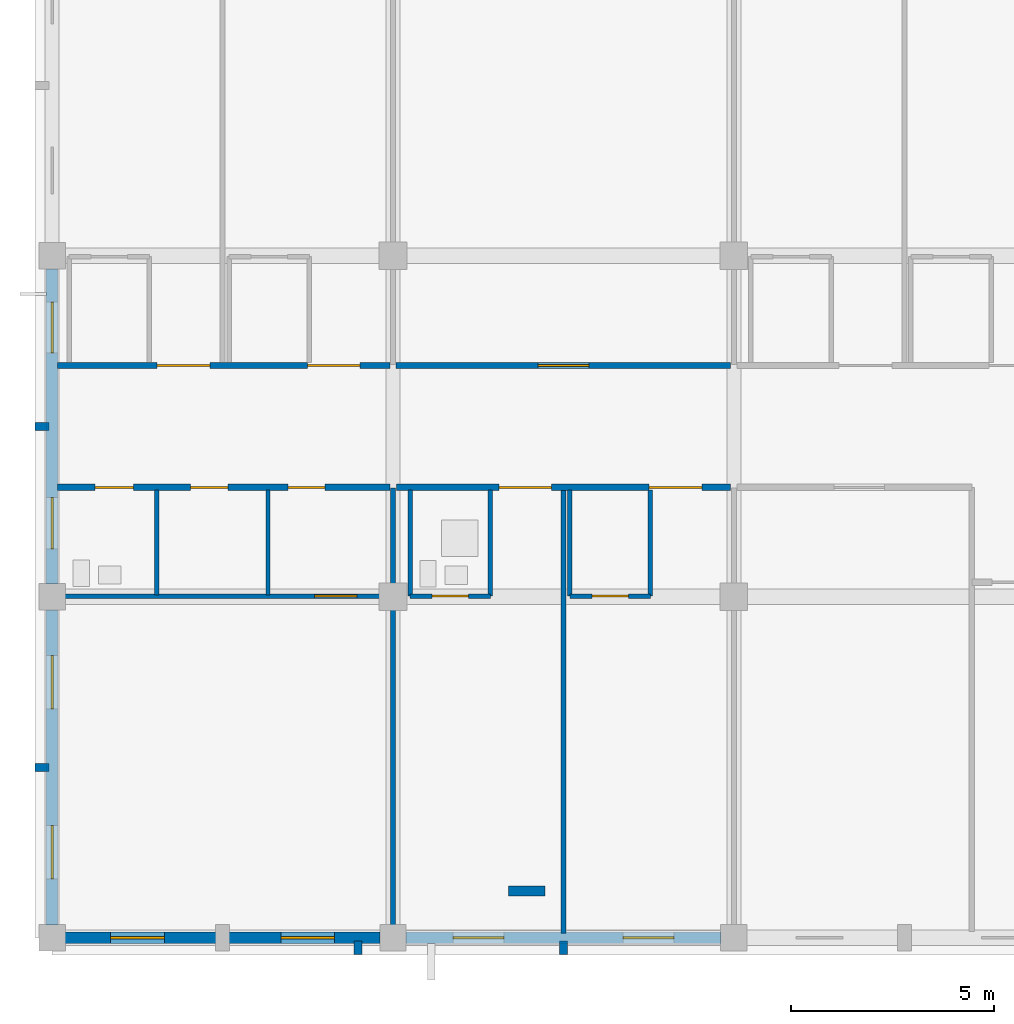
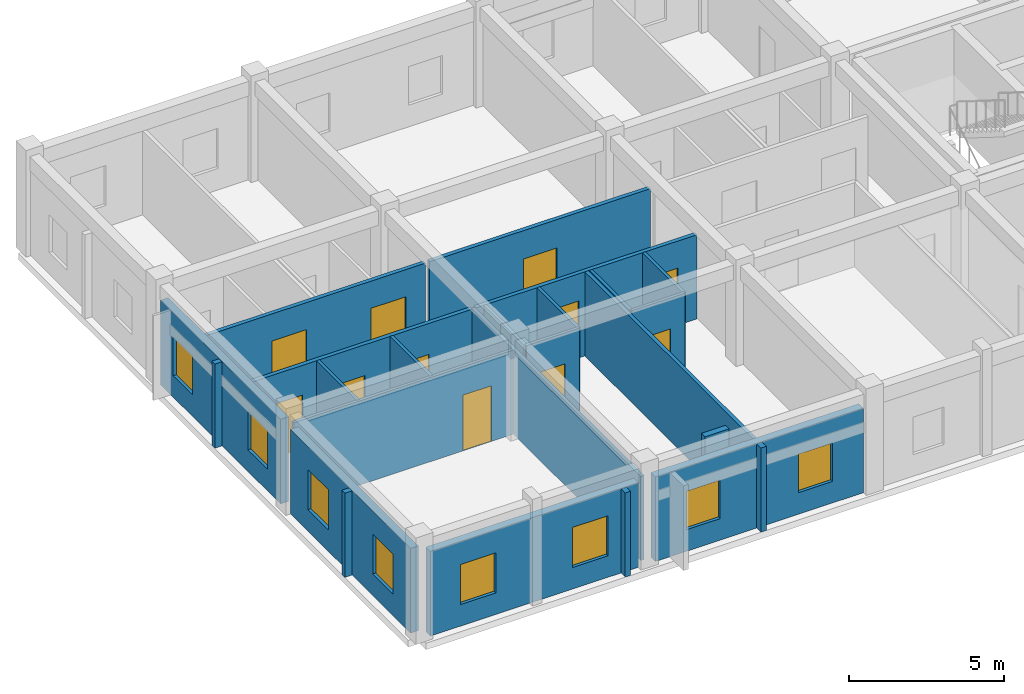
# One storey, part 59 of 90: 24 walls, 11 doors, 8 windows, 19 openings.
"""IFC4 building model written with IfcOpenShell, lengths in metres."""

from ifc_helpers import new_model, si_unit, direction, frame, frame_2d, origin, place, context, subcontext, project, spatial, rectangle, extrude, material, layer, layer_set, type_object, element, fill, save


model = new_model("IFC4")

# Units and contexts
model_context = context("Model", 3, precision=1e-05, world=origin(), true_north=direction((0.0, 1.0)))
body_context = subcontext(model_context, "Body", "Model", "MODEL_VIEW")
ifc_project = project(units=[si_unit("LENGTHUNIT", "METRE"), si_unit("AREAUNIT", "SQUARE_METRE"), si_unit("VOLUMEUNIT", "CUBIC_METRE"), si_unit("PLANEANGLEUNIT", "RADIAN"), si_unit("MASSUNIT", "GRAM", prefix="KILO")], contexts=[model_context])

# Site, building, storey
site_placement = place(None, origin())
site = spatial("IfcSite", under=ifc_project, at=site_placement, CompositionType="ELEMENT")
building_placement = place(site_placement, origin())
building = spatial("IfcBuilding", under=site, at=building_placement, Name="Trelvath General Hospital", CompositionType="ELEMENT")
storey_placement = place(building_placement, frame((0.0, 0.0, 20.39990234375)))
storey = spatial("IfcBuildingStorey", under=building, at=storey_placement, Name="L05", CompositionType="ELEMENT", Elevation=20.39990234375)

# Walls
ifc_material_1 = material(Name="Precast concrete C40/50", Category="concrete")
ifc_layer_1 = layer(ifc_material_1, 0.199951171875)
ifc_layer_set_1 = layer_set([ifc_layer_1], Name="Precast concrete C40/50")
wall_type_1 = type_object("IfcWallType", Name="BriseSoleilRib 200", PredefinedType="ELEMENTEDWALL", material=ifc_layer_set_1)
for number, where, z_axis, x_axis, name in (
    (1, (24.3369140625, -0.074951171875, 0.0), (0.0, 0.0, 1.0), (0.0, -1.0, 0.0), "Precast Concrete Brise-Soleil Rib Fin L05-357"),
    (2, (16.72509765625, 4.199951171875, 0.0), (0.0, 0.0, 1.0), (-1.0, 0.0, 0.0), "Precast Concrete Brise-Soleil Rib Fin L05-358"),
    (3, (16.72509765625, 12.60009765625, 0.0), (0.0, 0.0, 1.0), (-1.0, 0.0, 0.0), "Precast Concrete Brise-Soleil Rib Fin L05-359"),
    (4, (29.39990234375, -0.074951171875, 0.0), (0.0, 0.0, 1.0), (0.0, -1.0, 0.0), "Precast Concrete Brise-Soleil Rib Fin L05-362"),
):
    element("IfcWall", number, at=place(storey_placement, frame(where, z_axis=z_axis, x_axis=x_axis)), inside=storey, type_object=wall_type_1, Name=name, PredefinedType="ELEMENTEDWALL", context=body_context, shape_type="SweptSolid", body=[
        extrude(rectangle(XDim=0.340087890625, YDim=0.199951171875, at=frame_2d((0.169921875, 0.0))), origin(), (0.0, 0.0, 1.0), 3.320068359375),
    ])

# Wall, openings, doors
ifc_material_2 = material(Name="Gypsum acoustic steel-stud partition", Category="steel")
ifc_layer_2 = layer(ifc_material_2, 0.14990234375)
ifc_layer_set_2 = layer_set([ifc_layer_2], Name="Gypsum acoustic steel-stud partition")
wall_type_2 = type_object("IfcWallType", Name="ClinicalPartition 150", PredefinedType="PARTITIONING", material=ifc_layer_set_2)
wall_1_placement = place(storey_placement, frame((16.93994140625, 11.10009765625, 0.0), z_axis=(0.0, 0.0, 1.0), x_axis=(1.0, 0.0, 0.0)))
wall_1 = element("IfcWall", 5, at=wall_1_placement, inside=storey, type_object=wall_type_2, Name="Corridor Partition L05-1718", PredefinedType="PARTITIONING", context=body_context, shape_type="SweptSolid", body=[
    extrude(rectangle(XDim=8.18017578125, YDim=0.14990234375, at=frame_2d((4.090087890625, 0.0))), origin(), (0.0, 0.0, 1.0), 3.320068359375),
])
opening_1_placement = place(wall_1_placement, frame((0.919921875, 0.0, 0.0)))
opening_1 = element("IfcOpeningElement", 6, at=opening_1_placement, cuts=wall_1, Name="Opening D-5-1149", PredefinedType="OPENING", context=body_context, shape_type="SweptSolid", body=[
    extrude(rectangle(XDim=0.949951171875, YDim=2.14990234375, at=frame_2d((0.47509765625, 1.074951171875))), frame((0.0, 0.0849609375, 0.0), z_axis=(0.0, -1.0, 0.0), x_axis=(1.0, 0.0, 0.0)), (0.0, 0.0, 1.0), 0.169921875),
])
opening_2_placement = place(wall_1_placement, frame((3.27001953125, 0.0, 0.0)))
opening_2 = element("IfcOpeningElement", 7, at=opening_2_placement, cuts=wall_1, Name="Opening D-5-1150", PredefinedType="OPENING", context=body_context, shape_type="SweptSolid", body=[
    extrude(rectangle(XDim=0.919921875, YDim=2.10009765625, at=frame_2d((0.4599609375, 1.050048828125))), frame((0.0, 0.0849609375, 0.0), z_axis=(0.0, -1.0, 0.0), x_axis=(1.0, 0.0, 0.0)), (0.0, 0.0, 1.0), 0.169921875),
])
opening_3_placement = place(wall_1_placement, frame((5.669921875, 0.0, 0.0)))
opening_3 = element("IfcOpeningElement", 8, at=opening_3_placement, cuts=wall_1, Name="Opening D-5-1151", PredefinedType="OPENING", context=body_context, shape_type="SweptSolid", body=[
    extrude(rectangle(XDim=0.919921875, YDim=2.10009765625, at=frame_2d((0.4599609375, 1.050048828125))), frame((0.0, 0.0849609375, 0.0), z_axis=(0.0, -1.0, 0.0), x_axis=(1.0, 0.0, 0.0)), (0.0, 0.0, 1.0), 0.169921875),
])
ifc_material_3 = material(Name="Moisture-sealed timber leaf", Category="wood")
door_type_1 = type_object("IfcDoorType", Name="Door AccessibleWC 950x2150", OperationType="NOTDEFINED", PredefinedType="DOOR", material=ifc_material_3)
door_1_placement = place(opening_1_placement, origin())
door_1 = element("IfcDoor", 9, at=door_1_placement, inside=storey, type_object=door_type_1, Name="Accessible WC Door L05-1149", OperationType="SINGLE_SWING_LEFT", OverallHeight=2.14990234375, OverallWidth=0.949951171875, PredefinedType="DOOR", context=body_context, shape_type="SweptSolid", body=[
    extrude(rectangle(XDim=0.949951171875, YDim=2.14990234375, at=frame_2d((0.47509765625, 1.074951171875))), frame((0.0, 0.02490234375, 0.0), z_axis=(0.0, -1.0, 0.0), x_axis=(1.0, 0.0, 0.0)), (0.0, 0.0, 1.0), 0.050048828125),
])
fill(opening_1, door_1)
ifc_material_4 = material(Name="Moisture-sealed timber leaf", Category="wood")
door_type_2 = type_object("IfcDoorType", Name="Door StaffWC 920x2100", OperationType="NOTDEFINED", PredefinedType="DOOR", material=ifc_material_4)
door_2_placement = place(opening_2_placement, origin())
door_2 = element("IfcDoor", 10, at=door_2_placement, inside=storey, type_object=door_type_2, Name="Public WC Door L05-1150", OperationType="SINGLE_SWING_RIGHT", OverallHeight=2.10009765625, OverallWidth=0.919921875, PredefinedType="DOOR", context=body_context, shape_type="SweptSolid", body=[
    extrude(rectangle(XDim=0.919921875, YDim=2.10009765625, at=frame_2d((0.4599609375, 1.050048828125))), frame((0.0, 0.02490234375, 0.0), z_axis=(0.0, -1.0, 0.0), x_axis=(1.0, 0.0, 0.0)), (0.0, 0.0, 1.0), 0.050048828125),
])
fill(opening_2, door_2)
door_3_placement = place(opening_3_placement, origin())
door_3 = element("IfcDoor", 11, at=door_3_placement, inside=storey, type_object=door_type_2, Name="Staff WC Door L05-1151", OperationType="SINGLE_SWING_LEFT", OverallHeight=2.10009765625, OverallWidth=0.919921875, PredefinedType="DOOR", context=body_context, shape_type="SweptSolid", body=[
    extrude(rectangle(XDim=0.919921875, YDim=2.10009765625, at=frame_2d((0.4599609375, 1.050048828125))), frame((0.0, 0.02490234375, 0.0), z_axis=(0.0, -1.0, 0.0), x_axis=(1.0, 0.0, 0.0)), (0.0, 0.0, 1.0), 0.050048828125),
])
fill(opening_3, door_3)

wall_2_placement = place(storey_placement, frame((25.1201171875, 14.10009765625, 0.0), z_axis=(0.0, 0.0, 1.0), x_axis=(-1.0, 0.0, 0.0)))
wall_2 = element("IfcWall", 12, at=wall_2_placement, inside=storey, type_object=wall_type_2, Name="Corridor Partition N L05-1722", PredefinedType="PARTITIONING", context=body_context, shape_type="SweptSolid", body=[
    extrude(rectangle(XDim=8.18017578125, YDim=0.14990234375, at=frame_2d((4.090087890625, 0.0))), origin(), (0.0, 0.0, 1.0), 3.320068359375),
])
opening_4_placement = place(wall_2_placement, frame((0.72998046875, 0.0, 0.0)))
opening_4 = element("IfcOpeningElement", 13, at=opening_4_placement, cuts=wall_2, Name="Opening D-5-1153", PredefinedType="OPENING", context=body_context, shape_type="SweptSolid", body=[
    extrude(rectangle(XDim=1.300048828125, YDim=2.25, at=frame_2d((0.64990234375, 1.125))), frame((0.0, 0.0849609375, 0.0), z_axis=(0.0, -1.0, 0.0), x_axis=(1.0, 0.0, 0.0)), (0.0, 0.0, 1.0), 0.169921875),
])
opening_5_placement = place(wall_2_placement, frame((4.429931640625, 0.0, 0.0)))
opening_5 = element("IfcOpeningElement", 14, at=opening_5_placement, cuts=wall_2, Name="Opening D-5-1154", PredefinedType="OPENING", context=body_context, shape_type="SweptSolid", body=[
    extrude(rectangle(XDim=1.300048828125, YDim=2.25, at=frame_2d((0.64990234375, 1.125))), frame((0.0, 0.0849609375, 0.0), z_axis=(0.0, -1.0, 0.0), x_axis=(1.0, 0.0, 0.0)), (0.0, 0.0, 1.0), 0.169921875),
])
ifc_material_5 = material(Name="Hospital bed-leaf timber door", Category="wood")
door_type_3 = type_object("IfcDoorType", Name="Door PatientBed 1300x2250", OperationType="NOTDEFINED", PredefinedType="DOOR", material=ifc_material_5)
door_4_placement = place(opening_4_placement, origin())
door_4 = element("IfcDoor", 15, at=door_4_placement, inside=storey, type_object=door_type_3, Name="Patient Room Door N L05-1153", OperationType="SINGLE_SWING_LEFT", OverallHeight=2.25, OverallWidth=1.300048828125, PredefinedType="DOOR", context=body_context, shape_type="SweptSolid", body=[
    extrude(rectangle(XDim=1.300048828125, YDim=2.25, at=frame_2d((0.64990234375, 1.125))), frame((0.0, 0.02490234375, 0.0), z_axis=(0.0, -1.0, 0.0), x_axis=(1.0, 0.0, 0.0)), (0.0, 0.0, 1.0), 0.050048828125),
])
fill(opening_4, door_4)
door_5_placement = place(opening_5_placement, origin())
door_5 = element("IfcDoor", 16, at=door_5_placement, inside=storey, type_object=door_type_3, Name="Patient Room Door N L05-1154", OperationType="SINGLE_SWING_LEFT", OverallHeight=2.25, OverallWidth=1.300048828125, PredefinedType="DOOR", context=body_context, shape_type="SweptSolid", body=[
    extrude(rectangle(XDim=1.300048828125, YDim=2.25, at=frame_2d((0.64990234375, 1.125))), frame((0.0, 0.02490234375, 0.0), z_axis=(0.0, -1.0, 0.0), x_axis=(1.0, 0.0, 0.0)), (0.0, 0.0, 1.0), 0.050048828125),
])
fill(opening_5, door_5)

wall_3_placement = place(storey_placement, frame((25.280029296875, 11.10009765625, 0.0), z_axis=(0.0, 0.0, 1.0), x_axis=(1.0, 0.0, 0.0)))
wall_3 = element("IfcWall", 17, at=wall_3_placement, inside=storey, type_object=wall_type_2, Name="Corridor Partition L05-1732", PredefinedType="PARTITIONING", context=body_context, shape_type="SweptSolid", body=[
    extrude(rectangle(XDim=8.239990234375, YDim=0.14990234375, at=frame_2d((4.1201171875, 0.0))), origin(), (0.0, 0.0, 1.0), 3.320068359375),
])
opening_6_placement = place(wall_3_placement, frame((2.530029296875, 0.0, 0.0)))
opening_6 = element("IfcOpeningElement", 18, at=opening_6_placement, cuts=wall_3, Name="Opening D-5-1157", PredefinedType="OPENING", context=body_context, shape_type="SweptSolid", body=[
    extrude(rectangle(XDim=1.300048828125, YDim=2.25, at=frame_2d((0.64990234375, 1.125))), frame((0.0, 0.0849609375, 0.0), z_axis=(0.0, -1.0, 0.0), x_axis=(1.0, 0.0, 0.0)), (0.0, 0.0, 1.0), 0.169921875),
])
opening_7_placement = place(wall_3_placement, frame((6.22998046875, 0.0, 0.0)))
opening_7 = element("IfcOpeningElement", 19, at=opening_7_placement, cuts=wall_3, Name="Opening D-5-1158", PredefinedType="OPENING", context=body_context, shape_type="SweptSolid", body=[
    extrude(rectangle(XDim=1.300048828125, YDim=2.25, at=frame_2d((0.64990234375, 1.125))), frame((0.0, 0.0849609375, 0.0), z_axis=(0.0, -1.0, 0.0), x_axis=(1.0, 0.0, 0.0)), (0.0, 0.0, 1.0), 0.169921875),
])
door_6_placement = place(opening_6_placement, origin())
door_6 = element("IfcDoor", 20, at=door_6_placement, inside=storey, type_object=door_type_3, Name="Patient Room Door L05-1157", OperationType="SINGLE_SWING_RIGHT", OverallHeight=2.25, OverallWidth=1.300048828125, PredefinedType="DOOR", context=body_context, shape_type="SweptSolid", body=[
    extrude(rectangle(XDim=1.300048828125, YDim=2.25, at=frame_2d((0.64990234375, 1.125))), frame((0.0, 0.02490234375, 0.0), z_axis=(0.0, -1.0, 0.0), x_axis=(1.0, 0.0, 0.0)), (0.0, 0.0, 1.0), 0.050048828125),
])
fill(opening_6, door_6)
door_7_placement = place(opening_7_placement, origin())
door_7 = element("IfcDoor", 21, at=door_7_placement, inside=storey, type_object=door_type_3, Name="Patient Room Door L05-1158", OperationType="SINGLE_SWING_LEFT", OverallHeight=2.25, OverallWidth=1.300048828125, PredefinedType="DOOR", context=body_context, shape_type="SweptSolid", body=[
    extrude(rectangle(XDim=1.300048828125, YDim=2.25, at=frame_2d((0.64990234375, 1.125))), frame((0.0, 0.02490234375, 0.0), z_axis=(0.0, -1.0, 0.0), x_axis=(1.0, 0.0, 0.0)), (0.0, 0.0, 1.0), 0.050048828125),
])
fill(opening_7, door_7)

# Wall, opening, door
wall_4_placement = place(storey_placement, frame((33.52001953125, 14.10009765625, 0.0), z_axis=(0.0, 0.0, 1.0), x_axis=(-1.0, 0.0, 0.0)))
wall_4 = element("IfcWall", 22, at=wall_4_placement, inside=storey, type_object=wall_type_2, Name="Corridor Partition N L05-1741", PredefinedType="PARTITIONING", context=body_context, shape_type="SweptSolid", body=[
    extrude(rectangle(XDim=8.239990234375, YDim=0.14990234375, at=frame_2d((4.1201171875, 0.0))), origin(), (0.0, 0.0, 1.0), 3.320068359375),
])
opening_8_placement = place(wall_4_placement, frame((3.4951171875, 0.0, 0.0)))
opening_8 = element("IfcOpeningElement", 23, at=opening_8_placement, cuts=wall_4, Name="Opening D-5-1161", PredefinedType="OPENING", context=body_context, shape_type="SweptSolid", body=[
    extrude(rectangle(XDim=1.25, YDim=2.199951171875, at=frame_2d((0.625, 1.10009765625))), frame((0.0, 0.0849609375, 0.0), z_axis=(0.0, -1.0, 0.0), x_axis=(1.0, 0.0, 0.0)), (0.0, 0.0, 1.0), 0.169921875),
])
ifc_material_6 = material(Name="Acoustic hospital timber leaf", Category="wood")
door_type_4 = type_object("IfcDoorType", Name="Door Treatment 1250x2200", OperationType="NOTDEFINED", PredefinedType="DOOR", material=ifc_material_6)
door_8_placement = place(opening_8_placement, origin())
door_8 = element("IfcDoor", 24, at=door_8_placement, inside=storey, type_object=door_type_4, Name="Clinical Room Door L05-1161", OperationType="SINGLE_SWING_RIGHT", OverallHeight=2.199951171875, OverallWidth=1.25, PredefinedType="DOOR", context=body_context, shape_type="SweptSolid", body=[
    extrude(rectangle(XDim=1.25, YDim=2.199951171875, at=frame_2d((0.625, 1.10009765625))), frame((0.0, 0.02490234375, 0.0), z_axis=(0.0, -1.0, 0.0), x_axis=(1.0, 0.0, 0.0)), (0.0, 0.0, 1.0), 0.050048828125),
])
fill(opening_8, door_8)

# Walls
ifc_material_7 = material(Name="Moisture-resistant tile partition")
ifc_layer_3 = layer(ifc_material_7, 0.110107421875)
ifc_layer_set_3 = layer_set([ifc_layer_3], Name="Moisture-resistant tile partition")
wall_type_3 = type_object("IfcWallType", Name="EnSuiteWetWall 110", PredefinedType="PARTITIONING", material=ifc_layer_set_3)
for number, where, z_axis, x_axis, name in (
    (25, (19.3798828125, 8.43994140625, 0.0), (0.0, 0.0, 1.0), (0.0, 1.0, 0.0), "WC Dividing Wall L05-1719"),
    (26, (22.1201171875, 8.43994140625, 0.0), (0.0, 0.0, 1.0), (0.0, 1.0, 0.0), "WC Dividing Wall L05-1720"),
):
    element("IfcWall", number, at=place(storey_placement, frame(where, z_axis=z_axis, x_axis=x_axis)), inside=storey, type_object=wall_type_3, Name=name, PredefinedType="PARTITIONING", context=body_context, shape_type="SweptSolid", body=[
        extrude(rectangle(XDim=2.590087890625, YDim=0.110107421875, at=frame_2d((1.294921875, 0.0))), origin(), (0.0, 0.0, 1.0), 3.320068359375),
    ])

# Wall, opening, door
wall_5_placement = place(storey_placement, frame((16.93994140625, 8.419921875, 0.0), z_axis=(0.0, 0.0, 1.0), x_axis=(1.0, 0.0, 0.0)))
wall_5 = element("IfcWall", 27, at=wall_5_placement, inside=storey, type_object=wall_type_3, Name="Nurse Station Partition L05-1721", PredefinedType="PARTITIONING", context=body_context, shape_type="SweptSolid", body=[
    extrude(rectangle(XDim=8.18017578125, YDim=0.110107421875, at=frame_2d((4.090087890625, 0.0))), origin(), (0.0, 0.0, 1.0), 3.320068359375),
])
opening_9_placement = place(wall_5_placement, frame((6.320068359375, 0.0, 0.0)))
opening_9 = element("IfcOpeningElement", 28, at=opening_9_placement, cuts=wall_5, Name="Opening D-5-1152", PredefinedType="OPENING", context=body_context, shape_type="SweptSolid", body=[
    extrude(rectangle(XDim=1.050048828125, YDim=2.199951171875, at=frame_2d((0.52490234375, 1.10009765625))), frame((0.0, 0.06494140625, 0.0), z_axis=(0.0, -1.0, 0.0), x_axis=(1.0, 0.0, 0.0)), (0.0, 0.0, 1.0), 0.130126953125),
])
ifc_material_8 = material(Name="Acoustic hospital timber leaf", Category="wood")
door_type_5 = type_object("IfcDoorType", Name="Door Consult 1050x2200", OperationType="NOTDEFINED", PredefinedType="DOOR", material=ifc_material_8)
door_9_placement = place(opening_9_placement, origin())
door_9 = element("IfcDoor", 29, at=door_9_placement, inside=storey, type_object=door_type_5, Name="Nurse Station Door L05-1152", OperationType="SINGLE_SWING_RIGHT", OverallHeight=2.199951171875, OverallWidth=1.050048828125, PredefinedType="DOOR", context=body_context, shape_type="SweptSolid", body=[
    extrude(rectangle(XDim=1.050048828125, YDim=2.199951171875, at=frame_2d((0.52490234375, 1.10009765625))), frame((0.0, 0.02490234375, 0.0), z_axis=(0.0, -1.0, 0.0), x_axis=(1.0, 0.0, 0.0)), (0.0, 0.0, 1.0), 0.050048828125),
])
fill(opening_9, door_9)

# Walls
for number, where, z_axis, x_axis, name in (
    (30, (25.6201171875, 8.419921875, 0.0), (0.0, 0.0, 1.0), (0.0, 1.0, 0.0), "En-Suite W Wall L05-1734"),
    (31, (27.60009765625, 8.419921875, 0.0), (0.0, 0.0, 1.0), (0.0, 1.0, 0.0), "En-Suite E Wall L05-1735"),
):
    element("IfcWall", number, at=place(storey_placement, frame(where, z_axis=z_axis, x_axis=x_axis)), inside=storey, type_object=wall_type_3, Name=name, PredefinedType="PARTITIONING", context=body_context, shape_type="SweptSolid", body=[
        extrude(rectangle(XDim=2.610107421875, YDim=0.110107421875, at=frame_2d((1.30517578125, 0.0))), origin(), (0.0, 0.0, 1.0), 3.320068359375),
    ])

# Wall, opening, door
wall_6_placement = place(storey_placement, frame((25.6201171875, 8.419921875, 0.0), z_axis=(0.0, 0.0, 1.0), x_axis=(1.0, 0.0, 0.0)))
wall_6 = element("IfcWall", 32, at=wall_6_placement, inside=storey, type_object=wall_type_3, Name="En-Suite Bathroom Partition L05-1736", PredefinedType="PARTITIONING", context=body_context, shape_type="SweptSolid", body=[
    extrude(rectangle(XDim=1.97998046875, YDim=0.110107421875, at=frame_2d((0.989990234375, 0.0))), origin(), (0.0, 0.0, 1.0), 3.320068359375),
])
opening_10_placement = place(wall_6_placement, frame((0.5400390625, 0.0, 0.0)))
opening_10 = element("IfcOpeningElement", 33, at=opening_10_placement, cuts=wall_6, Name="Opening D-5-1159", PredefinedType="OPENING", context=body_context, shape_type="SweptSolid", body=[
    extrude(rectangle(XDim=0.89990234375, YDim=2.10009765625, at=frame_2d((0.449951171875, 1.050048828125))), frame((0.0, 0.06494140625, 0.0), z_axis=(0.0, -1.0, 0.0), x_axis=(1.0, 0.0, 0.0)), (0.0, 0.0, 1.0), 0.130126953125),
])
ifc_material_9 = material(Name="Moisture-sealed timber leaf", Category="wood")
door_type_6 = type_object("IfcDoorType", Name="Door EnSuite 900x2100", OperationType="NOTDEFINED", PredefinedType="DOOR", material=ifc_material_9)
door_10_placement = place(opening_10_placement, origin())
door_10 = element("IfcDoor", 34, at=door_10_placement, inside=storey, type_object=door_type_6, Name="En-Suite Bathroom Door L05-1159", OperationType="SINGLE_SWING_RIGHT", OverallHeight=2.10009765625, OverallWidth=0.89990234375, PredefinedType="DOOR", context=body_context, shape_type="SweptSolid", body=[
    extrude(rectangle(XDim=0.89990234375, YDim=2.10009765625, at=frame_2d((0.449951171875, 1.050048828125))), frame((0.0, 0.02490234375, 0.0), z_axis=(0.0, -1.0, 0.0), x_axis=(1.0, 0.0, 0.0)), (0.0, 0.0, 1.0), 0.050048828125),
])
fill(opening_10, door_10)

# Walls
for number, where, z_axis, x_axis, name in (
    (35, (29.56005859375, 8.419921875, 0.0), (0.0, 0.0, 1.0), (0.0, 1.0, 0.0), "En-Suite W Wall L05-1737"),
    (36, (31.5400390625, 8.419921875, 0.0), (0.0, 0.0, 1.0), (0.0, 1.0, 0.0), "En-Suite E Wall L05-1738"),
):
    element("IfcWall", number, at=place(storey_placement, frame(where, z_axis=z_axis, x_axis=x_axis)), inside=storey, type_object=wall_type_3, Name=name, PredefinedType="PARTITIONING", context=body_context, shape_type="SweptSolid", body=[
        extrude(rectangle(XDim=2.610107421875, YDim=0.110107421875, at=frame_2d((1.30517578125, 0.0))), origin(), (0.0, 0.0, 1.0), 3.320068359375),
    ])

# Wall, opening, door
wall_7_placement = place(storey_placement, frame((29.56005859375, 8.419921875, 0.0), z_axis=(0.0, 0.0, 1.0), x_axis=(1.0, 0.0, 0.0)))
wall_7 = element("IfcWall", 37, at=wall_7_placement, inside=storey, type_object=wall_type_3, Name="En-Suite Bathroom Partition L05-1739", PredefinedType="PARTITIONING", context=body_context, shape_type="SweptSolid", body=[
    extrude(rectangle(XDim=1.97998046875, YDim=0.110107421875, at=frame_2d((0.989990234375, 0.0))), origin(), (0.0, 0.0, 1.0), 3.320068359375),
])
opening_11_placement = place(wall_7_placement, frame((0.5400390625, 0.0, 0.0)))
opening_11 = element("IfcOpeningElement", 38, at=opening_11_placement, cuts=wall_7, Name="Opening D-5-1160", PredefinedType="OPENING", context=body_context, shape_type="SweptSolid", body=[
    extrude(rectangle(XDim=0.89990234375, YDim=2.10009765625, at=frame_2d((0.449951171875, 1.050048828125))), frame((0.0, 0.06494140625, 0.0), z_axis=(0.0, -1.0, 0.0), x_axis=(1.0, 0.0, 0.0)), (0.0, 0.0, 1.0), 0.130126953125),
])
door_11_placement = place(opening_11_placement, origin())
door_11 = element("IfcDoor", 39, at=door_11_placement, inside=storey, type_object=door_type_6, Name="En-Suite Bathroom Door L05-1160", OperationType="SINGLE_SWING_LEFT", OverallHeight=2.10009765625, OverallWidth=0.89990234375, PredefinedType="DOOR", context=body_context, shape_type="SweptSolid", body=[
    extrude(rectangle(XDim=0.89990234375, YDim=2.10009765625, at=frame_2d((0.449951171875, 1.050048828125))), frame((0.0, 0.02490234375, 0.0), z_axis=(0.0, -1.0, 0.0), x_axis=(1.0, 0.0, 0.0)), (0.0, 0.0, 1.0), 0.050048828125),
])
fill(opening_11, door_11)

# Wall, openings, windows
ifc_material_10 = material(Name="Concrete C35/45", Category="concrete")
ifc_layer_4 = layer(ifc_material_10, 0.2900390625)
ifc_layer_set_4 = layer_set([ifc_layer_4], Name="Concrete C35/45")
wall_type_4 = type_object("IfcWallType", Name="ExtBushHammeredWall 290", PredefinedType="SOLIDWALL", material=ifc_layer_set_4)
wall_8_placement = place(storey_placement, frame((24.8798828125, 0.0, 0.0), z_axis=(0.0, 0.0, 1.0), x_axis=(-1.0, 0.0, 0.0)))
wall_8 = element("IfcWall", 40, at=wall_8_placement, inside=storey, type_object=wall_type_4, Name="Exterior Concrete Wall L05-488", PredefinedType="SOLIDWALL", context=body_context, shape_type="SweptSolid", body=[
    extrude(rectangle(XDim=7.759765625, YDim=0.2900390625, at=frame_2d((3.8798828125, 0.0))), origin(), (0.0, 0.0, 1.0), 3.340087890625),
])
opening_12_placement = place(wall_8_placement, frame((1.124755859375, 0.0, 0.85009765625)))
opening_12 = element("IfcOpeningElement", 41, at=opening_12_placement, cuts=wall_8, Name="Opening WN-5-803", PredefinedType="OPENING", context=body_context, shape_type="SweptSolid", body=[
    extrude(rectangle(XDim=1.320068359375, YDim=1.580078125, at=frame_2d((0.66015625, 0.7900390625))), frame((0.0, 0.155029296875, 0.0), z_axis=(0.0, -1.0, 0.0), x_axis=(1.0, 0.0, 0.0)), (0.0, 0.0, 1.0), 0.31005859375),
])
opening_13_placement = place(wall_8_placement, frame((5.315185546875, 0.0, 0.85009765625)))
opening_13 = element("IfcOpeningElement", 42, at=opening_13_placement, cuts=wall_8, Name="Opening WN-5-804", PredefinedType="OPENING", context=body_context, shape_type="SweptSolid", body=[
    extrude(rectangle(XDim=1.320068359375, YDim=1.580078125, at=frame_2d((0.66015625, 0.7900390625))), frame((0.0, 0.155029296875, 0.0), z_axis=(0.0, -1.0, 0.0), x_axis=(1.0, 0.0, 0.0)), (0.0, 0.0, 1.0), 0.31005859375),
])
ifc_material_11 = material(Name="Low-E laminated glass", Category="glass")
window_type_1 = type_object("IfcWindowType", Name="Window Pediatrics 1320x1580", PartitioningType="DOUBLE_PANEL_VERTICAL", PredefinedType="WINDOW", material=ifc_material_11)
window_1_placement = place(opening_12_placement, origin())
window_1 = element("IfcWindow", 43, at=window_1_placement, inside=storey, type_object=window_type_1, Name="Solar Reveal Window L05-803", OverallHeight=1.580078125, OverallWidth=1.320068359375, PartitioningType="SINGLE_PANEL", PredefinedType="WINDOW", context=body_context, shape_type="SweptSolid", body=[
    extrude(rectangle(XDim=1.320068359375, YDim=1.580078125, at=frame_2d((0.66015625, 0.7900390625))), frame((0.0, 0.030029296875, 0.0), z_axis=(0.0, -1.0, 0.0), x_axis=(1.0, 0.0, 0.0)), (0.0, 0.0, 1.0), 0.06005859375),
])
fill(opening_12, window_1)
window_2_placement = place(opening_13_placement, origin())
window_2 = element("IfcWindow", 44, at=window_2_placement, inside=storey, type_object=window_type_1, Name="Solar Reveal Window L05-804", OverallHeight=1.580078125, OverallWidth=1.320068359375, PartitioningType="SINGLE_PANEL", PredefinedType="WINDOW", context=body_context, shape_type="SweptSolid", body=[
    extrude(rectangle(XDim=1.320068359375, YDim=1.580078125, at=frame_2d((0.66015625, 0.7900390625))), frame((0.0, 0.030029296875, 0.0), z_axis=(0.0, -1.0, 0.0), x_axis=(1.0, 0.0, 0.0)), (0.0, 0.0, 1.0), 0.06005859375),
])
fill(opening_13, window_2)

wall_9_placement = place(storey_placement, frame((16.800048828125, 0.320068359375, 0.0), z_axis=(0.0, 0.0, 1.0), x_axis=(0.0, 1.0, 0.0)))
wall_9 = element("IfcWall", 45, at=wall_9_placement, inside=storey, type_object=wall_type_4, Name="Exterior Concrete Wall L05-489", PredefinedType="SOLIDWALL", context=body_context, shape_type="SweptSolid", body=[
    extrude(rectangle(XDim=7.760009765625, YDim=0.2900390625, at=frame_2d((3.8798828125, 0.0))), origin(), (0.0, 0.0, 1.0), 3.340087890625),
])
opening_14_placement = place(wall_9_placement, frame((1.124755859375, 0.0, 0.85009765625)))
opening_14 = element("IfcOpeningElement", 46, at=opening_14_placement, cuts=wall_9, Name="Opening WN-5-805", PredefinedType="OPENING", context=body_context, shape_type="SweptSolid", body=[
    extrude(rectangle(XDim=1.320068359375, YDim=1.580078125, at=frame_2d((0.66015625, 0.7900390625))), frame((0.0, 0.155029296875, 0.0), z_axis=(0.0, -1.0, 0.0), x_axis=(1.0, 0.0, 0.0)), (0.0, 0.0, 1.0), 0.31005859375),
])
opening_15_placement = place(wall_9_placement, frame((5.315185546875, 0.0, 0.85009765625)))
opening_15 = element("IfcOpeningElement", 47, at=opening_15_placement, cuts=wall_9, Name="Opening WN-5-806", PredefinedType="OPENING", context=body_context, shape_type="SweptSolid", body=[
    extrude(rectangle(XDim=1.320068359375, YDim=1.580078125, at=frame_2d((0.66015625, 0.7900390625))), frame((0.0, 0.155029296875, 0.0), z_axis=(0.0, -1.0, 0.0), x_axis=(1.0, 0.0, 0.0)), (0.0, 0.0, 1.0), 0.31005859375),
])
window_3_placement = place(opening_14_placement, origin())
window_3 = element("IfcWindow", 48, at=window_3_placement, inside=storey, type_object=window_type_1, Name="Solar Reveal Window L05-805", OverallHeight=1.580078125, OverallWidth=1.320068359375, PartitioningType="SINGLE_PANEL", PredefinedType="WINDOW", context=body_context, shape_type="SweptSolid", body=[
    extrude(rectangle(XDim=1.320068359375, YDim=1.580078125, at=frame_2d((0.66015625, 0.7900390625))), frame((0.0, 0.030029296875, 0.0), z_axis=(0.0, -1.0, 0.0), x_axis=(1.0, 0.0, 0.0)), (0.0, 0.0, 1.0), 0.06005859375),
])
fill(opening_14, window_3)
window_4_placement = place(opening_15_placement, origin())
window_4 = element("IfcWindow", 49, at=window_4_placement, inside=storey, type_object=window_type_1, Name="Solar Reveal Window L05-806", OverallHeight=1.580078125, OverallWidth=1.320068359375, PartitioningType="SINGLE_PANEL", PredefinedType="WINDOW", context=body_context, shape_type="SweptSolid", body=[
    extrude(rectangle(XDim=1.320068359375, YDim=1.580078125, at=frame_2d((0.66015625, 0.7900390625))), frame((0.0, 0.030029296875, 0.0), z_axis=(0.0, -1.0, 0.0), x_axis=(1.0, 0.0, 0.0)), (0.0, 0.0, 1.0), 0.06005859375),
])
fill(opening_15, window_4)

wall_10_placement = place(storey_placement, frame((16.800048828125, 8.719970703125, 0.0), z_axis=(0.0, 0.0, 1.0), x_axis=(0.0, 1.0, 0.0)))
wall_10 = element("IfcWall", 50, at=wall_10_placement, inside=storey, type_object=wall_type_4, Name="Exterior Concrete Wall L05-490", PredefinedType="SOLIDWALL", context=body_context, shape_type="SweptSolid", body=[
    extrude(rectangle(XDim=7.760009765625, YDim=0.2900390625, at=frame_2d((3.8798828125, 0.0))), origin(), (0.0, 0.0, 1.0), 3.340087890625),
])
opening_16_placement = place(wall_10_placement, frame((0.864990234375, 0.0, 0.85009765625)))
opening_16 = element("IfcOpeningElement", 51, at=opening_16_placement, cuts=wall_10, Name="Opening WN-5-807", PredefinedType="OPENING", context=body_context, shape_type="SweptSolid", body=[
    extrude(rectangle(XDim=1.260009765625, YDim=1.52001953125, at=frame_2d((0.6298828125, 0.760009765625))), frame((0.0, 0.155029296875, 0.0), z_axis=(0.0, -1.0, 0.0), x_axis=(1.0, 0.0, 0.0)), (0.0, 0.0, 1.0), 0.31005859375),
])
opening_17_placement = place(wall_10_placement, frame((5.68505859375, 0.0, 0.85009765625)))
opening_17 = element("IfcOpeningElement", 52, at=opening_17_placement, cuts=wall_10, Name="Opening WN-5-808", PredefinedType="OPENING", context=body_context, shape_type="SweptSolid", body=[
    extrude(rectangle(XDim=1.260009765625, YDim=1.52001953125, at=frame_2d((0.6298828125, 0.760009765625))), frame((0.0, 0.155029296875, 0.0), z_axis=(0.0, -1.0, 0.0), x_axis=(1.0, 0.0, 0.0)), (0.0, 0.0, 1.0), 0.31005859375),
])
ifc_material_12 = material(Name="Low-E laminated glass", Category="glass")
window_type_2 = type_object("IfcWindowType", Name="Window Oncology 1260x1520", PartitioningType="SINGLE_PANEL", PredefinedType="WINDOW", material=ifc_material_12)
window_5_placement = place(opening_16_placement, origin())
window_5 = element("IfcWindow", 53, at=window_5_placement, inside=storey, type_object=window_type_2, Name="Solar Reveal Window L05-807", OverallHeight=1.52001953125, OverallWidth=1.260009765625, PartitioningType="SINGLE_PANEL", PredefinedType="WINDOW", context=body_context, shape_type="SweptSolid", body=[
    extrude(rectangle(XDim=1.260009765625, YDim=1.52001953125, at=frame_2d((0.6298828125, 0.760009765625))), frame((0.0, 0.030029296875, 0.0), z_axis=(0.0, -1.0, 0.0), x_axis=(1.0, 0.0, 0.0)), (0.0, 0.0, 1.0), 0.06005859375),
])
fill(opening_16, window_5)
window_6_placement = place(opening_17_placement, origin())
window_6 = element("IfcWindow", 54, at=window_6_placement, inside=storey, type_object=window_type_2, Name="Solar Reveal Window L05-808", OverallHeight=1.52001953125, OverallWidth=1.260009765625, PartitioningType="SINGLE_PANEL", PredefinedType="WINDOW", context=body_context, shape_type="SweptSolid", body=[
    extrude(rectangle(XDim=1.260009765625, YDim=1.52001953125, at=frame_2d((0.6298828125, 0.760009765625))), frame((0.0, 0.030029296875, 0.0), z_axis=(0.0, -1.0, 0.0), x_axis=(1.0, 0.0, 0.0)), (0.0, 0.0, 1.0), 0.06005859375),
])
fill(opening_17, window_6)

wall_11_placement = place(storey_placement, frame((33.280029296875, 0.0, 0.0), z_axis=(0.0, 0.0, 1.0), x_axis=(-1.0, 0.0, 0.0)))
wall_11 = element("IfcWall", 55, at=wall_11_placement, inside=storey, type_object=wall_type_4, Name="Exterior Concrete Wall L05-493", PredefinedType="SOLIDWALL", context=body_context, shape_type="SweptSolid", body=[
    extrude(rectangle(XDim=7.760009765625, YDim=0.2900390625, at=frame_2d((3.8798828125, 0.0))), origin(), (0.0, 0.0, 1.0), 3.340087890625),
])
opening_18_placement = place(wall_11_placement, frame((1.15478515625, 0.0, 0.85009765625)))
opening_18 = element("IfcOpeningElement", 56, at=opening_18_placement, cuts=wall_11, Name="Opening WN-5-813", PredefinedType="OPENING", context=body_context, shape_type="SweptSolid", body=[
    extrude(rectangle(XDim=1.260009765625, YDim=1.52001953125, at=frame_2d((0.6298828125, 0.760009765625))), frame((0.0, 0.155029296875, 0.0), z_axis=(0.0, -1.0, 0.0), x_axis=(1.0, 0.0, 0.0)), (0.0, 0.0, 1.0), 0.31005859375),
])
opening_19_placement = place(wall_11_placement, frame((5.34521484375, 0.0, 0.85009765625)))
opening_19 = element("IfcOpeningElement", 57, at=opening_19_placement, cuts=wall_11, Name="Opening WN-5-814", PredefinedType="OPENING", context=body_context, shape_type="SweptSolid", body=[
    extrude(rectangle(XDim=1.260009765625, YDim=1.52001953125, at=frame_2d((0.6298828125, 0.760009765625))), frame((0.0, 0.155029296875, 0.0), z_axis=(0.0, -1.0, 0.0), x_axis=(1.0, 0.0, 0.0)), (0.0, 0.0, 1.0), 0.31005859375),
])
window_7_placement = place(opening_18_placement, origin())
window_7 = element("IfcWindow", 58, at=window_7_placement, inside=storey, type_object=window_type_2, Name="Solar Reveal Window L05-813", OverallHeight=1.52001953125, OverallWidth=1.260009765625, PartitioningType="SINGLE_PANEL", PredefinedType="WINDOW", context=body_context, shape_type="SweptSolid", body=[
    extrude(rectangle(XDim=1.260009765625, YDim=1.52001953125, at=frame_2d((0.6298828125, 0.760009765625))), frame((0.0, 0.030029296875, 0.0), z_axis=(0.0, -1.0, 0.0), x_axis=(1.0, 0.0, 0.0)), (0.0, 0.0, 1.0), 0.06005859375),
])
fill(opening_18, window_7)
window_8_placement = place(opening_19_placement, origin())
window_8 = element("IfcWindow", 59, at=window_8_placement, inside=storey, type_object=window_type_2, Name="Solar Reveal Window L05-814", OverallHeight=1.52001953125, OverallWidth=1.260009765625, PartitioningType="SINGLE_PANEL", PredefinedType="WINDOW", context=body_context, shape_type="SweptSolid", body=[
    extrude(rectangle(XDim=1.260009765625, YDim=1.52001953125, at=frame_2d((0.6298828125, 0.760009765625))), frame((0.0, 0.030029296875, 0.0), z_axis=(0.0, -1.0, 0.0), x_axis=(1.0, 0.0, 0.0)), (0.0, 0.0, 1.0), 0.06005859375),
])
fill(opening_19, window_8)

# Walls
ifc_material_13 = material(Name="Masonry service chase blockwork", Category="masonry")
ifc_layer_5 = layer(ifc_material_13, 0.239990234375)
ifc_layer_set_5 = layer_set([ifc_layer_5], Name="Masonry service chase blockwork")
wall_type_5 = type_object("IfcWallType", Name="PlumbingChaseWall 240", PredefinedType="PLUMBINGWALL", material=ifc_layer_set_5)
wall_12_placement = place(storey_placement, frame((28.050048828125, 1.14990234375, 0.0), z_axis=(0.0, 0.0, 1.0), x_axis=(1.0, 0.0, 0.0)))
element("IfcWall", 60, at=wall_12_placement, inside=storey, type_object=wall_type_5, Name="Medical Gas Plumbing Chase L05-1740", PredefinedType="PLUMBINGWALL", context=body_context, shape_type="SweptSolid", body=[
    extrude(rectangle(XDim=0.89990234375, YDim=0.239990234375, at=frame_2d((0.449951171875, 0.0))), origin(), (0.0, 0.0, 1.0), 3.320068359375),
])
ifc_material_14 = material(Name="Gypsum acoustic steel-stud partition", Category="steel")
ifc_layer_6 = layer(ifc_material_14, 0.1298828125)
ifc_layer_set_6 = layer_set([ifc_layer_6], Name="Gypsum acoustic steel-stud partition")
wall_type_6 = type_object("IfcWallType", Name="WardPartition 130", PredefinedType="PARTITIONING", material=ifc_layer_set_6)
wall_13_placement = place(storey_placement, frame((25.199951171875, 0.139892578125, 0.0), z_axis=(0.0, 0.0, 1.0), x_axis=(0.0, 1.0, 0.0)))
element("IfcWall", 61, at=wall_13_placement, inside=storey, type_object=wall_type_6, Name="Inter-Bay Ward Partition S L05-1730", PredefinedType="PARTITIONING", context=body_context, shape_type="SweptSolid", body=[
    extrude(rectangle(XDim=10.940185546875, YDim=0.1298828125, at=frame_2d((5.47021484375, 0.0))), origin(), (0.0, 0.0, 1.0), 3.320068359375),
])
wall_14_placement = place(storey_placement, frame((29.39990234375, 0.10009765625, 0.0), z_axis=(0.0, 0.0, 1.0), x_axis=(0.0, 1.0, 0.0)))
element("IfcWall", 62, at=wall_14_placement, inside=storey, type_object=wall_type_6, Name="Room Dividing Partition S L05-1733", PredefinedType="PARTITIONING", context=body_context, shape_type="SweptSolid", body=[
    extrude(rectangle(XDim=10.929931640625, YDim=0.1298828125, at=frame_2d((5.46484375, 0.0))), origin(), (0.0, 0.0, 1.0), 3.320068359375),
])

save(model, "model.ifc")
